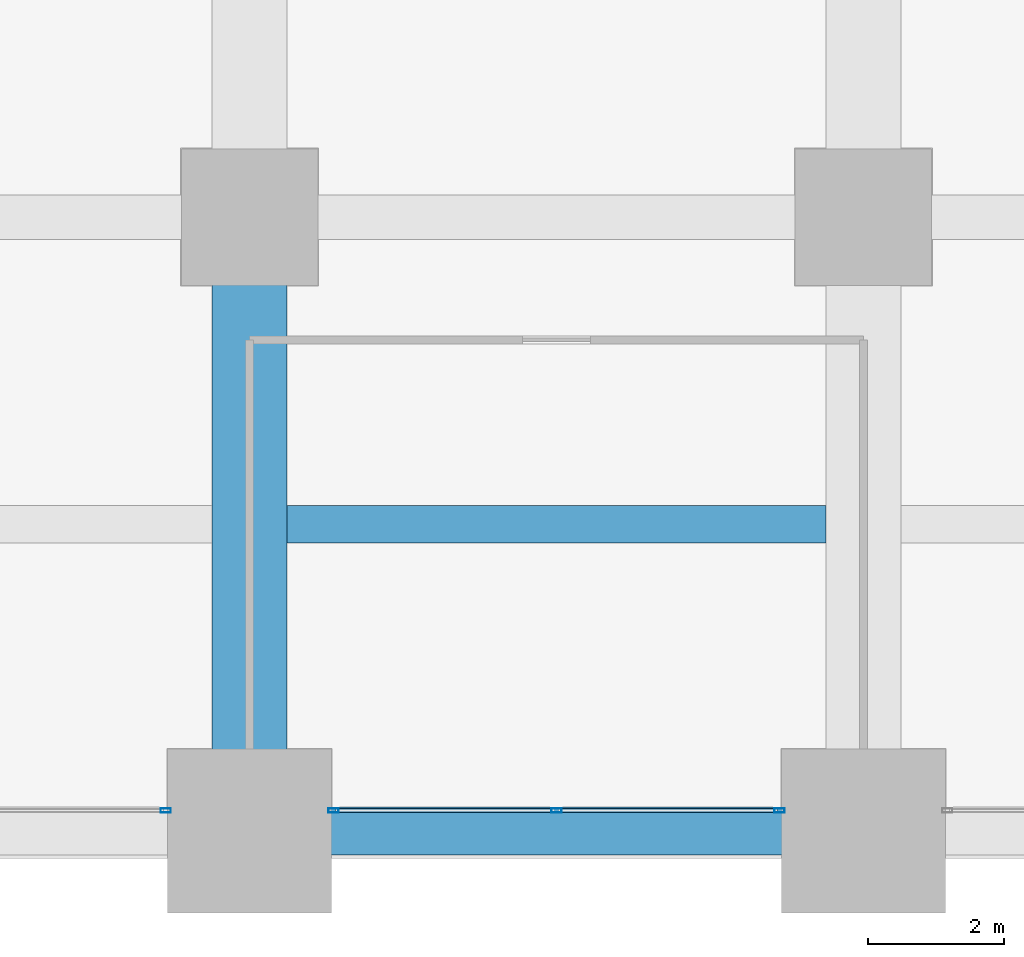
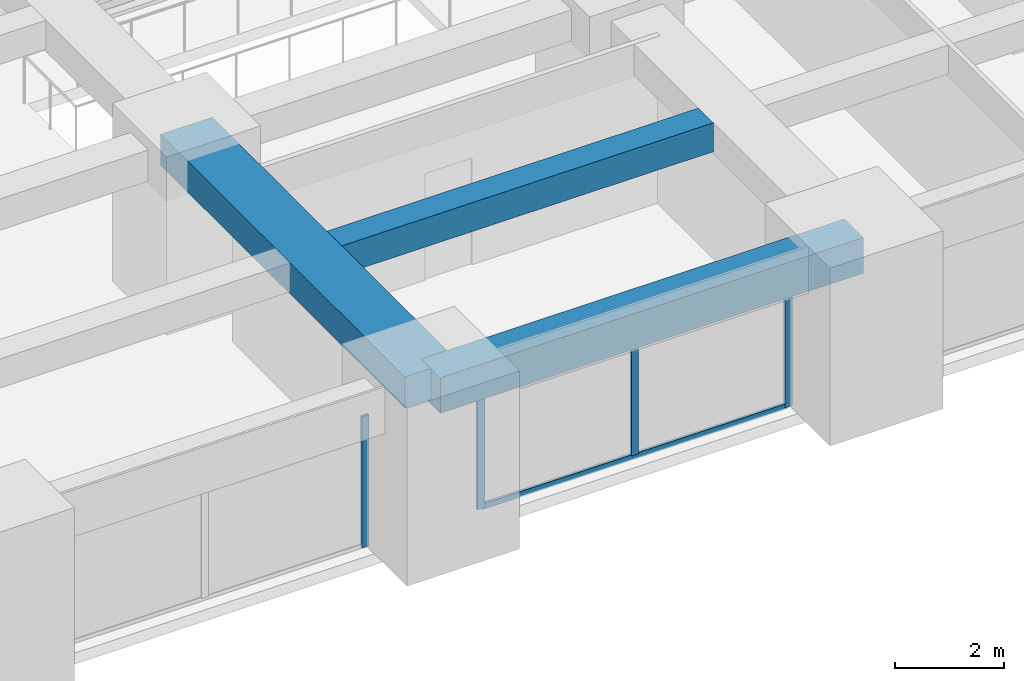
# One storey, part 6 of 39: 5 members, 3 beams, 2 elements without a shape of their own.
"""IFC4 building model written with IfcOpenShell, lengths in metres."""

from ifc_helpers import new_model, si_unit, direction, frame, origin, origin_2d, place, context, subcontext, project, spatial, rectangle, hollow_rectangle, extrude, material, material_profile, profile_set, type_object, element, aggregate, save


model = new_model("IFC4")

# Units and contexts
model_context = context("Model", 3, precision=1e-05, world=origin(), true_north=direction((0.0, 1.0)))
body_context = subcontext(model_context, "Body", "Model", "MODEL_VIEW")
ifc_project = project(units=[si_unit("LENGTHUNIT", "METRE"), si_unit("AREAUNIT", "SQUARE_METRE"), si_unit("VOLUMEUNIT", "CUBIC_METRE"), si_unit("PLANEANGLEUNIT", "RADIAN"), si_unit("MASSUNIT", "GRAM", prefix="KILO")], contexts=[model_context])

# Site, building, storey
site_placement = place(None, origin())
site = spatial("IfcSite", under=ifc_project, at=site_placement, CompositionType="ELEMENT")
building_placement = place(site_placement, origin())
building = spatial("IfcBuilding", under=site, at=building_placement, Name="Zorevar Civic Tower", CompositionType="ELEMENT")
storey_placement = place(building_placement, frame((0.0, 0.0, 121.0)))
storey = spatial("IfcBuildingStorey", under=building, at=storey_placement, Name="L29", CompositionType="ELEMENT", Elevation=121.0)

# Beams
ifc_material_1 = material(Name="Concrete C50/60", Category="concrete")
ifc_material_profile_1 = material_profile(ifc_material_1, rectangle(XDim=1.10009765625, YDim=0.699951171875, at=origin_2d()), Name="RC 1100x700")
ifc_profile_set_1 = profile_set([ifc_material_profile_1], Name="Concrete C50/60")
beam_type_1 = type_object("IfcBeamType", Name="Beam RC 1100x700", PredefinedType="BEAM", material=ifc_profile_set_1)
beam_1_placement = place(storey_placement, frame((18.0, 0.0, 3.39990234375), z_axis=(0.0, 1.0, 0.0), x_axis=(-1.0, 0.0, 0.0)))
element("IfcBeam", 1, at=beam_1_placement, inside=storey, type_object=beam_type_1, Name="Girder L30", PredefinedType="BEAM", context=body_context, shape_type="SweptSolid", body=[
    extrude(rectangle(XDim=1.10009765625, YDim=0.699951171875, at=origin_2d()), origin(), (0.0, 0.0, 1.0), 9.0),
])
ifc_material_2 = material(Name="Concrete C50/60", Category="concrete")
ifc_material_profile_2 = material_profile(ifc_material_2, rectangle(XDim=0.550048828125, YDim=0.64990234375, at=origin_2d()), Name="RC 550x650")
ifc_profile_set_2 = profile_set([ifc_material_profile_2], Name="Concrete C50/60")
beam_type_2 = type_object("IfcBeamType", Name="Beam RC 550x650", PredefinedType="BEAM", material=ifc_profile_set_2)
beam_2_placement = place(storey_placement, frame((18.550048828125, 4.5, 3.425048828125), z_axis=(1.0, 0.0, 0.0), x_axis=(0.0, 1.0, 0.0)))
element("IfcBeam", 2, at=beam_2_placement, inside=storey, type_object=beam_type_2, Name="Secondary beam L30", PredefinedType="BEAM", context=body_context, shape_type="SweptSolid", body=[
    extrude(rectangle(XDim=0.550048828125, YDim=0.64990234375, at=origin_2d()), origin(), (0.0, 0.0, 1.0), 7.89990234375),
])

# Curtain wall, member
ifc_material_3 = material(Name="Dark grey solar-control glass in black aluminium frame", Category="aluminium")
curtain_wall_type = type_object("IfcCurtainWallType", Name="Curtain wall CW3 mid zone", PredefinedType="NOTDEFINED", material=ifc_material_3)
curtain_wall_1_placement = place(storey_placement, origin())
curtain_wall_1 = element("IfcCurtainWall", 3, at=curtain_wall_1_placement, inside=storey, type_object=curtain_wall_type, Name="CW3 L29", PredefinedType="NOTDEFINED")
ifc_material_4 = material(Name="Aluminium, black anodised", Category="aluminium")
ifc_material_profile_3 = material_profile(ifc_material_4, hollow_rectangle(XDim=0.06005859375, YDim=0.14990234375, WallThickness=0.00390625, at=origin_2d()), Name="AL 150x60x4")
ifc_profile_set_3 = profile_set([ifc_material_profile_3], Name="Aluminium, black anodised")
member_type_1 = type_object("IfcMemberType", Name="CW3 mullion AL 150x60x4", PredefinedType="MULLION", material=ifc_profile_set_3)
member_1_placement = place(storey_placement, frame((16.77001953125, 0.300048828125, 0.0), z_axis=(0.0, 0.0, 1.0), x_axis=(0.0, 1.0, 0.0)))
member_1 = element("IfcMember", 4, at=member_1_placement, type_object=member_type_1, Name="CW3 mullion 3", PredefinedType="MULLION", context=body_context, shape_type="SweptSolid", body=[
    extrude(hollow_rectangle(XDim=0.06005859375, YDim=0.14990234375, WallThickness=0.00390625, at=origin_2d()), origin(), (0.0, 0.0, 1.0), 2.949951171875),
])
aggregate(curtain_wall_1, [member_1])

# Curtain wall, members
curtain_wall_2_placement = place(storey_placement, origin())
curtain_wall_2 = element("IfcCurtainWall", 5, at=curtain_wall_2_placement, inside=storey, type_object=curtain_wall_type, Name="CW3 L29", PredefinedType="NOTDEFINED")
member_2_placement = place(storey_placement, frame((19.22998046875, 0.300048828125, 0.0), z_axis=(0.0, 0.0, 1.0), x_axis=(0.0, 1.0, 0.0)))
member_2 = element("IfcMember", 6, at=member_2_placement, type_object=member_type_1, Name="CW3 mullion 1", PredefinedType="MULLION", context=body_context, shape_type="SweptSolid", body=[
    extrude(hollow_rectangle(XDim=0.06005859375, YDim=0.14990234375, WallThickness=0.00390625, at=origin_2d()), origin(), (0.0, 0.0, 1.0), 2.949951171875),
])
member_3_placement = place(storey_placement, frame((22.5, 0.300048828125, 0.06005859375), z_axis=(0.0, 0.0, 1.0), x_axis=(0.0, 1.0, 0.0)))
member_3 = element("IfcMember", 7, at=member_3_placement, type_object=member_type_1, Name="CW3 mullion 2", PredefinedType="MULLION", context=body_context, shape_type="SweptSolid", body=[
    extrude(hollow_rectangle(XDim=0.06005859375, YDim=0.14990234375, WallThickness=0.00390625, at=origin_2d()), origin(), (0.0, 0.0, 1.0), 2.889892578125),
])
member_4_placement = place(storey_placement, frame((25.77001953125, 0.300048828125, 0.0), z_axis=(0.0, 0.0, 1.0), x_axis=(0.0, 1.0, 0.0)))
member_4 = element("IfcMember", 8, at=member_4_placement, type_object=member_type_1, Name="CW3 mullion 3", PredefinedType="MULLION", context=body_context, shape_type="SweptSolid", body=[
    extrude(hollow_rectangle(XDim=0.06005859375, YDim=0.14990234375, WallThickness=0.00390625, at=origin_2d()), origin(), (0.0, 0.0, 1.0), 2.949951171875),
])
ifc_material_5 = material(Name="Aluminium, black anodised", Category="aluminium")
ifc_material_profile_4 = material_profile(ifc_material_5, hollow_rectangle(XDim=0.06005859375, YDim=0.1201171875, WallThickness=0.0029296875, at=origin_2d()), Name="AL 120x60x3")
ifc_profile_set_4 = profile_set([ifc_material_profile_4], Name="Aluminium, black anodised")
member_type_2 = type_object("IfcMemberType", Name="CW3 transom AL 120x60x3", PredefinedType="USERDEFINED", material=ifc_profile_set_4)
member_5_placement = place(storey_placement, frame((19.260009765625, 0.300048828125, 0.030029296875), z_axis=(1.0, 0.0, 0.0), x_axis=(0.0, 1.0, 0.0)))
member_5 = element("IfcMember", 9, at=member_5_placement, type_object=member_type_2, Name="CW3 sill transom", ObjectType="TRANSOM", PredefinedType="USERDEFINED", context=body_context, shape_type="SweptSolid", body=[
    extrude(hollow_rectangle(XDim=0.06005859375, YDim=0.1201171875, WallThickness=0.0029296875, at=origin_2d()), origin(), (0.0, 0.0, 1.0), 6.47998046875),
])
aggregate(curtain_wall_2, [member_2, member_3, member_4, member_5])

# Beam
ifc_material_6 = material(Name="Concrete C50/60", Category="concrete")
ifc_material_profile_5 = material_profile(ifc_material_6, rectangle(XDim=0.699951171875, YDim=0.800048828125, at=origin_2d()), Name="RC 700x800")
ifc_profile_set_5 = profile_set([ifc_material_profile_5], Name="Concrete C50/60")
beam_type_3 = type_object("IfcBeamType", Name="Edge beam RC 700x800", PredefinedType="SPANDREL", material=ifc_profile_set_5)
beam_3_placement = place(storey_placement, frame((18.0, 0.0, 3.35009765625), z_axis=(1.0, 0.0, 0.0), x_axis=(0.0, 1.0, 0.0)))
element("IfcBeam", 10, at=beam_3_placement, inside=storey, type_object=beam_type_3, Name="Edge beam L30", PredefinedType="SPANDREL", context=body_context, shape_type="SweptSolid", body=[
    extrude(rectangle(XDim=0.699951171875, YDim=0.800048828125, at=origin_2d()), origin(), (0.0, 0.0, 1.0), 9.0),
])

save(model, "model.ifc")
